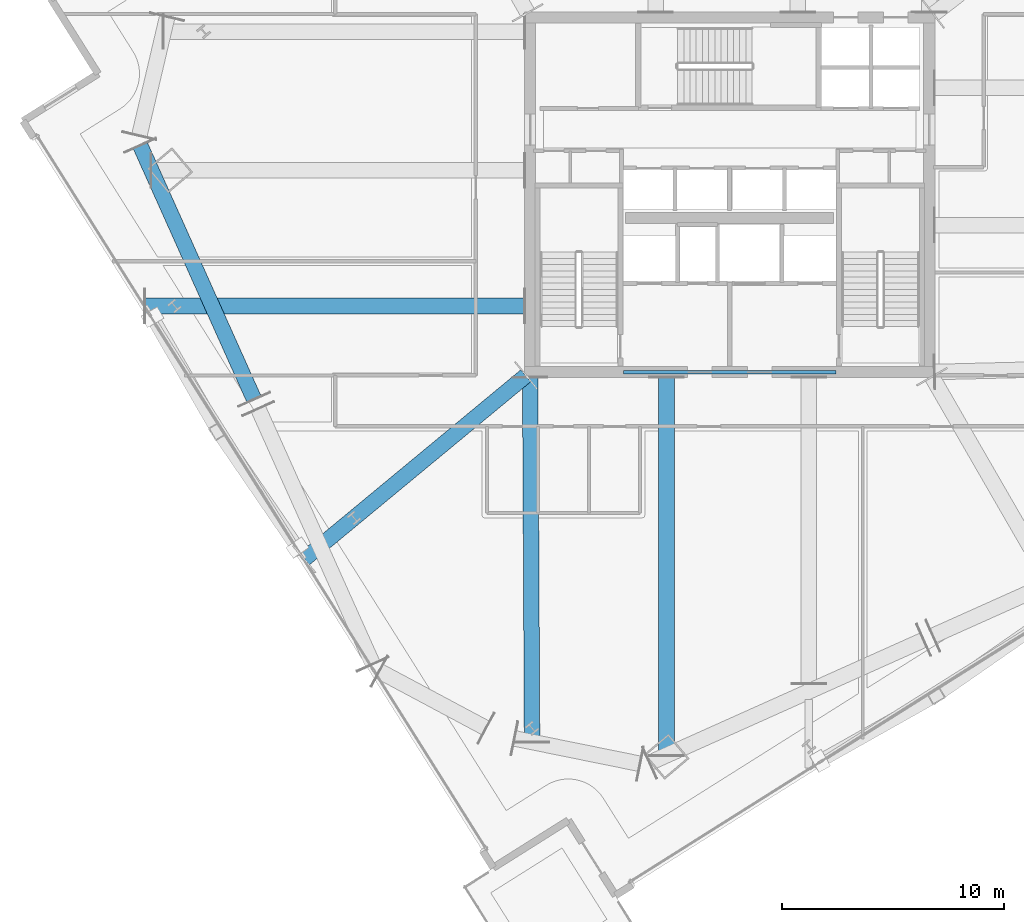
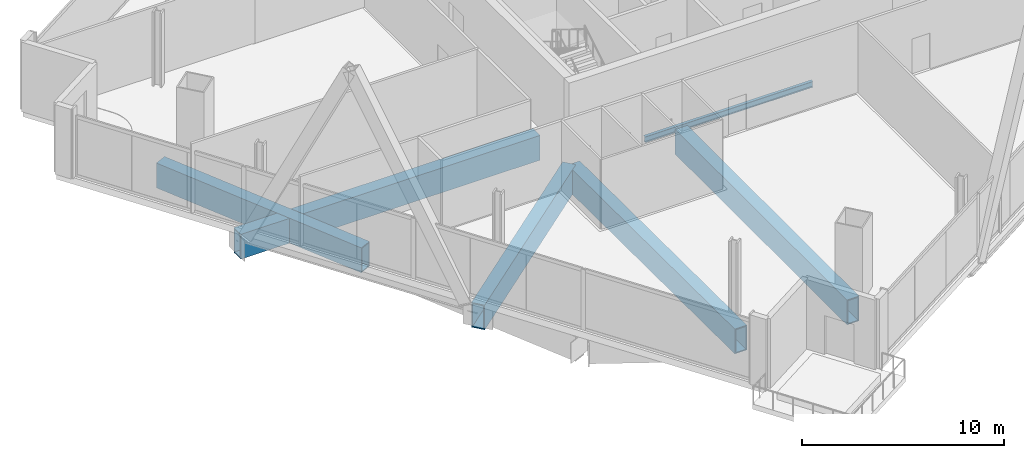
# One storey, part 4 of 29: 6 beams.
"""IFC4 building model written with IfcOpenShell, lengths in metres."""

from ifc_helpers import new_model, si_unit, direction, frame, origin, origin_2d, place, context, subcontext, project, spatial, hollow_rectangle, i_section, extrude, material, material_profile, profile_set, type_object, element, save


model = new_model("IFC4")

# Units and contexts
model_context = context("Model", 3, precision=1e-05, world=origin(), true_north=direction((0.0, 1.0)))
body_context = subcontext(model_context, "Body", "Model", "MODEL_VIEW")
ifc_project = project(units=[si_unit("LENGTHUNIT", "METRE"), si_unit("AREAUNIT", "SQUARE_METRE"), si_unit("VOLUMEUNIT", "CUBIC_METRE"), si_unit("PLANEANGLEUNIT", "RADIAN"), si_unit("MASSUNIT", "GRAM", prefix="KILO")], contexts=[model_context])

# Site, building, storey
site_placement = place(None, origin())
site = spatial("IfcSite", under=ifc_project, at=site_placement, CompositionType="ELEMENT")
building_placement = place(site_placement, origin())
building = spatial("IfcBuilding", under=site, at=building_placement, Name="Haldenkirk Collegiate Tower", CompositionType="ELEMENT")
storey_placement = place(building_placement, frame((0.0, 0.0, 136.199951171875)))
storey = spatial("IfcBuildingStorey", under=building, at=storey_placement, Name="L33", CompositionType="ELEMENT", Elevation=136.199951171875)

# Beams
ifc_material_1 = material(Name="Steel ASTM A992 Grade 50", Category="steel")
ifc_material_profile_1 = material_profile(ifc_material_1, i_section(OverallWidth=0.1708984375, OverallDepth=0.35595703125, WebThickness=0.007080078125, FlangeThickness=0.01171875, at=origin_2d()), Name="W14X34")
ifc_profile_set_1 = profile_set([ifc_material_profile_1], Name="Steel ASTM A992 Grade 50")
beam_type_1 = type_object("IfcBeamType", Name="BM-LINTEL-W14X34", PredefinedType="LINTEL", material=ifc_profile_set_1)
beam_1_placement = place(storey_placement, frame((31.199951171875, 18.0, -0.577880859375), z_axis=(1.0, 0.0, 0.0), x_axis=(0.0, 1.0, 0.0)))
element("IfcBeam", 1, at=beam_1_placement, inside=storey, type_object=beam_type_1, Name="L33 south core coupling lintel", PredefinedType="LINTEL", context=body_context, shape_type="SweptSolid", body=[
    extrude(i_section(OverallWidth=0.1708984375, OverallDepth=0.35595703125, WebThickness=0.007080078125, FlangeThickness=0.01171875, at=origin_2d()), origin(), (0.0, 0.0, 1.0), 9.60009765625),
])
ifc_material_2 = material(Name="Steel ASTM A572 Grade 50", Category="steel")
ifc_material_profile_2 = material_profile(ifc_material_2, hollow_rectangle(XDim=0.699951171875, YDim=1.5, WallThickness=0.06005859375, at=origin_2d()), Name="BOX1500X700X60")
ifc_profile_set_2 = profile_set([ifc_material_profile_2], Name="Steel ASTM A572 Grade 50")
beam_type_2 = type_object("IfcBeamType", Name="BM-TRANSFER-BOX1500X700X60", PredefinedType="BEAM", material=ifc_profile_set_2)
beam_2_placement = place(storey_placement, frame((9.418212890625, 28.212890625, -1.14990234375), z_axis=(0.409115233697, -0.912482726169, 0.0), x_axis=(0.912482726169, 0.409115233697, 0.0)))
element("IfcBeam", 2, at=beam_2_placement, inside=storey, type_object=beam_type_2, Name="L33 sky-lobby perimeter transfer girder 14", PredefinedType="BEAM", context=body_context, shape_type="SweptSolid", body=[
    extrude(hollow_rectangle(XDim=0.699951171875, YDim=1.5, WallThickness=0.06005859375, at=origin_2d()), origin(), (0.0, 0.0, 1.0), 12.524169921875),
])
beam_3_placement = place(storey_placement, frame((33.149169921875, 0.72119140625, -1.14990234375), z_axis=(0.0, 1.0, 0.0), x_axis=(-1.0, 0.0, 0.0)))
element("IfcBeam", 3, at=beam_3_placement, inside=storey, type_object=beam_type_2, Name="L33 sky-lobby radial transfer girder 01", PredefinedType="BEAM", context=body_context, shape_type="SweptSolid", body=[
    extrude(hollow_rectangle(XDim=0.699951171875, YDim=1.5, WallThickness=0.06005859375, at=origin_2d()), origin(), (0.0, 0.0, 1.0), 17.02392578125),
])
beam_4_placement = place(storey_placement, frame((9.638671875, 20.9833984375, -1.14990234375), z_axis=(1.0, 0.0, 0.0), x_axis=(0.0, 1.0, 0.0)))
element("IfcBeam", 4, at=beam_4_placement, inside=storey, type_object=beam_type_2, Name="L33 sky-lobby radial transfer girder 14", PredefinedType="BEAM", context=body_context, shape_type="SweptSolid", body=[
    extrude(hollow_rectangle(XDim=0.699951171875, YDim=1.5, WallThickness=0.06005859375, at=origin_2d()), origin(), (0.0, 0.0, 1.0), 17.1064453125),
])
beam_5_placement = place(storey_placement, frame((16.8212890625, 9.577392578125, -1.14990234375), z_axis=(0.77043612792, 0.637517194118, 0.0), x_axis=(-0.637517194118, 0.77043612792, 0.0)))
element("IfcBeam", 5, at=beam_5_placement, inside=storey, type_object=beam_type_2, Name="L33 sky-lobby radial transfer girder 15", PredefinedType="BEAM", context=body_context, shape_type="SweptSolid", body=[
    extrude(hollow_rectangle(XDim=0.699951171875, YDim=1.5, WallThickness=0.06005859375, at=origin_2d()), origin(), (0.0, 0.0, 1.0), 12.95654296875),
])
beam_6_placement = place(storey_placement, frame((27.086181640625, 1.320068359375, -1.14990234375), z_axis=(-0.005172575241, 0.999986622143, 0.0), x_axis=(-0.999986622143, -0.005172575241, 0.0)))
element("IfcBeam", 6, at=beam_6_placement, inside=storey, type_object=beam_type_2, Name="L33 sky-lobby radial transfer girder 16", PredefinedType="BEAM", context=body_context, shape_type="SweptSolid", body=[
    extrude(hollow_rectangle(XDim=0.699951171875, YDim=1.5, WallThickness=0.06005859375, at=origin_2d()), origin(), (0.0, 0.0, 1.0), 16.42529296875),
])

save(model, "model.ifc")
